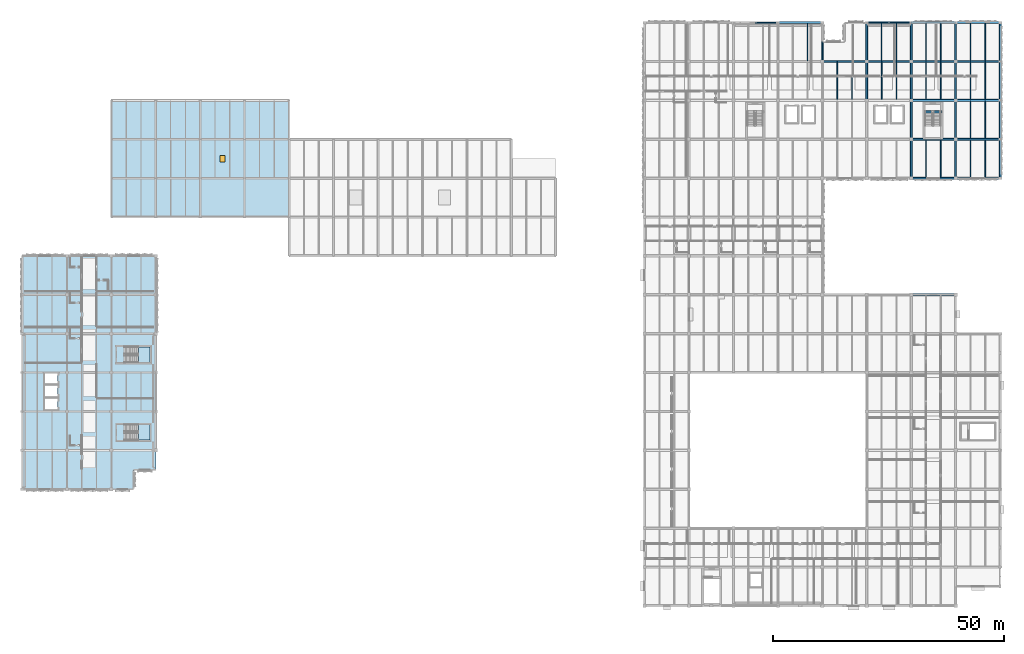
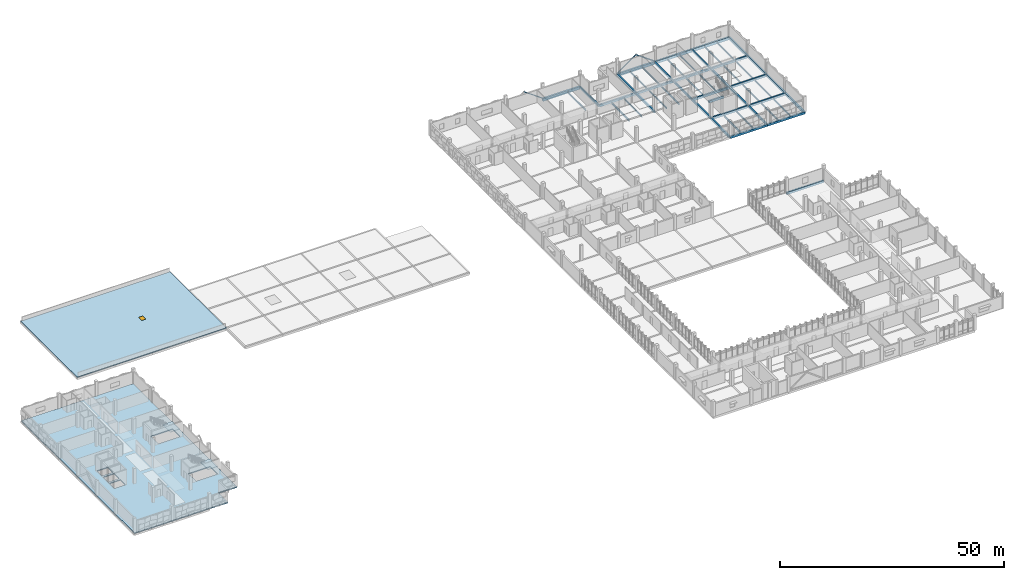
# One storey, part 24 of 57: 52 beams, 4 slabs, 3 members, 1 door, 1 opening, 3 elements without a shape of their own.
"""IFC4 building model written with IfcOpenShell, lengths in metres."""

from ifc_helpers import new_model, si_unit, direction, frame, origin, origin_2d, place, context, subcontext, project, spatial, polyline, rectangle, hollow_rectangle, i_section, outline, extrude, material, layer, layer_set, material_profile, profile_set, type_object, element, fill, aggregate, save


model = new_model("IFC4")

# Units and contexts
model_context = context("Model", 3, precision=1e-05, world=origin(), true_north=direction((0.0, 1.0)))
body_context = subcontext(model_context, "Body", "Model", "MODEL_VIEW")
ifc_project = project(units=[si_unit("LENGTHUNIT", "METRE"), si_unit("AREAUNIT", "SQUARE_METRE"), si_unit("VOLUMEUNIT", "CUBIC_METRE"), si_unit("PLANEANGLEUNIT", "RADIAN"), si_unit("MASSUNIT", "GRAM", prefix="KILO")], contexts=[model_context])

# Site, building, storey
site_placement = place(None, origin())
site = spatial("IfcSite", under=ifc_project, at=site_placement, CompositionType="ELEMENT")
building_placement = place(site_placement, origin())
building = spatial("IfcBuilding", under=site, at=building_placement, Name="Oolite Switchyard Hospital", CompositionType="ELEMENT")
storey_placement = place(building_placement, frame((0.0, 0.0, 17.800048828125)))
storey = spatial("IfcBuildingStorey", under=building, at=storey_placement, Name="L04", CompositionType="ELEMENT", Elevation=17.800048828125)

# Beams
ifc_material_1 = material(Name="Concrete C40/50", Category="concrete")
ifc_material_profile_1 = material_profile(ifc_material_1, rectangle(XDim=0.35009765625, YDim=0.550048828125, at=origin_2d()), Name="RCB350X550")
ifc_profile_set_1 = profile_set([ifc_material_profile_1], Name="Concrete C40/50")
beam_type_1 = type_object("IfcBeamType", Name="BM-RC350X550", PredefinedType="BEAM", material=ifc_profile_set_1)
for number, where, z_axis, x_axis, name in (
    (1, (172.800048828125, 126.0, -0.275146484375), (0.0, 1.0, 0.0), (-1.0, 0.0, 0.0), "L04 Y-Girder 3038"),
    (2, (182.39990234375, 117.60009765625, -0.275146484375), (0.0, 1.0, 0.0), (-1.0, 0.0, 0.0), "L04 Y-Girder 3049"),
    (3, (182.39990234375, 126.0, -0.275146484375), (0.0, 1.0, 0.0), (-1.0, 0.0, 0.0), "L04 Y-Girder 3050"),
    (4, (192.0, 100.800048828125, -0.275146484375), (0.0, 1.0, 0.0), (-1.0, 0.0, 0.0), "L04 Y-Girder 3059"),
):
    element("IfcBeam", number, at=place(storey_placement, frame(where, z_axis=z_axis, x_axis=x_axis)), inside=storey, type_object=beam_type_1, Name=name, PredefinedType="BEAM", context=body_context, shape_type="SweptSolid", body=[
        extrude(rectangle(XDim=0.35009765625, YDim=0.550048828125, at=origin_2d()), origin(), (0.0, 0.0, 1.0), 8.39990234375),
    ])
beam_1_placement = place(storey_placement, frame((192.0, 109.199951171875, -0.275146484375), z_axis=(0.0, 1.0, 0.0), x_axis=(-1.0, 0.0, 0.0)))
element("IfcBeam", 5, at=beam_1_placement, inside=storey, type_object=beam_type_1, Name="L04 Y-Girder 3060", PredefinedType="BEAM", context=body_context, shape_type="SweptSolid", body=[
    extrude(rectangle(XDim=0.35009765625, YDim=0.550048828125, at=origin_2d()), origin(), (0.0, 0.0, 1.0), 8.400146484375),
])
for number, where, z_axis, x_axis, name in (
    (6, (192.0, 117.60009765625, -0.275146484375), (0.0, 1.0, 0.0), (-1.0, 0.0, 0.0), "L04 Y-Girder 3061"),
    (7, (192.0, 126.0, -0.275146484375), (0.0, 1.0, 0.0), (-1.0, 0.0, 0.0), "L04 Y-Girder 3062"),
    (8, (201.60009765625, 100.800048828125, -0.275146484375), (0.0, 1.0, 0.0), (-1.0, 0.0, 0.0), "L04 Y-Girder 3071"),
):
    element("IfcBeam", number, at=place(storey_placement, frame(where, z_axis=z_axis, x_axis=x_axis)), inside=storey, type_object=beam_type_1, Name=name, PredefinedType="BEAM", context=body_context, shape_type="SweptSolid", body=[
        extrude(rectangle(XDim=0.35009765625, YDim=0.550048828125, at=origin_2d()), origin(), (0.0, 0.0, 1.0), 8.39990234375),
    ])
beam_2_placement = place(storey_placement, frame((201.60009765625, 109.199951171875, -0.275146484375), z_axis=(0.0, 1.0, 0.0), x_axis=(-1.0, 0.0, 0.0)))
element("IfcBeam", 9, at=beam_2_placement, inside=storey, type_object=beam_type_1, Name="L04 Y-Girder 3072", PredefinedType="BEAM", context=body_context, shape_type="SweptSolid", body=[
    extrude(rectangle(XDim=0.35009765625, YDim=0.550048828125, at=origin_2d()), origin(), (0.0, 0.0, 1.0), 8.400146484375),
])
for number, where, z_axis, x_axis, name in (
    (10, (201.60009765625, 117.60009765625, -0.275146484375), (0.0, 1.0, 0.0), (-1.0, 0.0, 0.0), "L04 Y-Girder 3073"),
    (11, (201.60009765625, 126.0, -0.275146484375), (0.0, 1.0, 0.0), (-1.0, 0.0, 0.0), "L04 Y-Girder 3074"),
):
    element("IfcBeam", number, at=place(storey_placement, frame(where, z_axis=z_axis, x_axis=x_axis)), inside=storey, type_object=beam_type_1, Name=name, PredefinedType="BEAM", context=body_context, shape_type="SweptSolid", body=[
        extrude(rectangle(XDim=0.35009765625, YDim=0.550048828125, at=origin_2d()), origin(), (0.0, 0.0, 1.0), 8.39990234375),
    ])
ifc_material_profile_2 = material_profile(ifc_material_1, rectangle(XDim=0.39990234375, YDim=0.60009765625, at=origin_2d()), Name="RCB400X600")
ifc_profile_set_2 = profile_set([ifc_material_profile_2], Name="Concrete C40/50")
beam_type_2 = type_object("IfcBeamType", Name="BM-RC400X600", PredefinedType="BEAM", material=ifc_profile_set_2)
for number, where, z_axis, x_axis, name in (
    (12, (192.0, 75.60009765625, -0.300048828125), (1.0, 0.0, 0.0), (0.0, 1.0, 0.0), "L04 X-Girder 2830"),
    (13, (192.0, 100.800048828125, -0.300048828125), (1.0, 0.0, 0.0), (0.0, 1.0, 0.0), "L04 X-Girder 2874"),
):
    element("IfcBeam", number, at=place(storey_placement, frame(where, z_axis=z_axis, x_axis=x_axis)), inside=storey, type_object=beam_type_2, Name=name, PredefinedType="BEAM", context=body_context, shape_type="SweptSolid", body=[
        extrude(rectangle(XDim=0.39990234375, YDim=0.60009765625, at=origin_2d()), origin(), (0.0, 0.0, 1.0), 9.60009765625),
    ])
beam_3_placement = place(storey_placement, frame((201.60009765625, 100.800048828125, -0.300048828125), z_axis=(1.0, 0.0, 0.0), x_axis=(0.0, 1.0, 0.0)))
element("IfcBeam", 14, at=beam_3_placement, inside=storey, type_object=beam_type_2, Name="L04 X-Girder 2875", PredefinedType="BEAM", context=body_context, shape_type="SweptSolid", body=[
    extrude(rectangle(XDim=0.39990234375, YDim=0.60009765625, at=origin_2d()), origin(), (0.0, 0.0, 1.0), 9.599853515625),
])
beam_4_placement = place(storey_placement, frame((192.0, 109.199951171875, -0.300048828125), z_axis=(1.0, 0.0, 0.0), x_axis=(0.0, 1.0, 0.0)))
element("IfcBeam", 15, at=beam_4_placement, inside=storey, type_object=beam_type_2, Name="L04 X-Girder 2891", PredefinedType="BEAM", context=body_context, shape_type="SweptSolid", body=[
    extrude(rectangle(XDim=0.39990234375, YDim=0.60009765625, at=origin_2d()), origin(), (0.0, 0.0, 1.0), 9.60009765625),
])
beam_5_placement = place(storey_placement, frame((201.60009765625, 109.199951171875, -0.300048828125), z_axis=(1.0, 0.0, 0.0), x_axis=(0.0, 1.0, 0.0)))
element("IfcBeam", 16, at=beam_5_placement, inside=storey, type_object=beam_type_2, Name="L04 X-Girder 2892", PredefinedType="BEAM", context=body_context, shape_type="SweptSolid", body=[
    extrude(rectangle(XDim=0.39990234375, YDim=0.60009765625, at=origin_2d()), origin(), (0.0, 0.0, 1.0), 9.599853515625),
])
beam_6_placement = place(storey_placement, frame((192.0, 117.60009765625, -0.300048828125), z_axis=(1.0, 0.0, 0.0), x_axis=(0.0, 1.0, 0.0)))
element("IfcBeam", 17, at=beam_6_placement, inside=storey, type_object=beam_type_2, Name="L04 X-Girder 2903", PredefinedType="BEAM", context=body_context, shape_type="SweptSolid", body=[
    extrude(rectangle(XDim=0.39990234375, YDim=0.60009765625, at=origin_2d()), origin(), (0.0, 0.0, 1.0), 9.60009765625),
])
for number, where, z_axis, x_axis, name in (
    (18, (201.60009765625, 117.60009765625, -0.300048828125), (1.0, 0.0, 0.0), (0.0, 1.0, 0.0), "L04 X-Girder 2904"),
    (19, (172.800048828125, 126.0, -0.300048828125), (1.0, 0.0, 0.0), (0.0, 1.0, 0.0), "L04 X-Girder 2909"),
):
    element("IfcBeam", number, at=place(storey_placement, frame(where, z_axis=z_axis, x_axis=x_axis)), inside=storey, type_object=beam_type_2, Name=name, PredefinedType="BEAM", context=body_context, shape_type="SweptSolid", body=[
        extrude(rectangle(XDim=0.39990234375, YDim=0.60009765625, at=origin_2d()), origin(), (0.0, 0.0, 1.0), 9.599853515625),
    ])
for number, where, z_axis, x_axis, name in (
    (20, (182.39990234375, 126.0, -0.300048828125), (1.0, 0.0, 0.0), (0.0, 1.0, 0.0), "L04 X-Girder 2910"),
    (21, (192.0, 126.0, -0.300048828125), (1.0, 0.0, 0.0), (0.0, 1.0, 0.0), "L04 X-Girder 2911"),
):
    element("IfcBeam", number, at=place(storey_placement, frame(where, z_axis=z_axis, x_axis=x_axis)), inside=storey, type_object=beam_type_2, Name=name, PredefinedType="BEAM", context=body_context, shape_type="SweptSolid", body=[
        extrude(rectangle(XDim=0.39990234375, YDim=0.60009765625, at=origin_2d()), origin(), (0.0, 0.0, 1.0), 9.60009765625),
    ])
beam_7_placement = place(storey_placement, frame((201.60009765625, 126.0, -0.300048828125), z_axis=(1.0, 0.0, 0.0), x_axis=(0.0, 1.0, 0.0)))
element("IfcBeam", 22, at=beam_7_placement, inside=storey, type_object=beam_type_2, Name="L04 X-Girder 2912", PredefinedType="BEAM", context=body_context, shape_type="SweptSolid", body=[
    extrude(rectangle(XDim=0.39990234375, YDim=0.60009765625, at=origin_2d()), origin(), (0.0, 0.0, 1.0), 9.599853515625),
])
beam_8_placement = place(storey_placement, frame((211.199951171875, 100.800048828125, -0.300048828125), z_axis=(0.0, 1.0, 0.0), x_axis=(-1.0, 0.0, 0.0)))
element("IfcBeam", 23, at=beam_8_placement, inside=storey, type_object=beam_type_2, Name="L04 Y-Girder 3081", PredefinedType="BEAM", context=body_context, shape_type="SweptSolid", body=[
    extrude(rectangle(XDim=0.39990234375, YDim=0.60009765625, at=origin_2d()), origin(), (0.0, 0.0, 1.0), 8.39990234375),
])
beam_9_placement = place(storey_placement, frame((211.199951171875, 109.199951171875, -0.300048828125), z_axis=(0.0, 1.0, 0.0), x_axis=(-1.0, 0.0, 0.0)))
element("IfcBeam", 24, at=beam_9_placement, inside=storey, type_object=beam_type_2, Name="L04 Y-Girder 3082", PredefinedType="BEAM", context=body_context, shape_type="SweptSolid", body=[
    extrude(rectangle(XDim=0.39990234375, YDim=0.60009765625, at=origin_2d()), origin(), (0.0, 0.0, 1.0), 8.400146484375),
])
for number, where, z_axis, x_axis, name in (
    (25, (211.199951171875, 117.60009765625, -0.300048828125), (0.0, 1.0, 0.0), (-1.0, 0.0, 0.0), "L04 Y-Girder 3083"),
    (26, (211.199951171875, 126.0, -0.300048828125), (0.0, 1.0, 0.0), (-1.0, 0.0, 0.0), "L04 Y-Girder 3084"),
):
    element("IfcBeam", number, at=place(storey_placement, frame(where, z_axis=z_axis, x_axis=x_axis)), inside=storey, type_object=beam_type_2, Name=name, PredefinedType="BEAM", context=body_context, shape_type="SweptSolid", body=[
        extrude(rectangle(XDim=0.39990234375, YDim=0.60009765625, at=origin_2d()), origin(), (0.0, 0.0, 1.0), 8.39990234375),
    ])
beam_10_placement = place(storey_placement, frame((194.77490234375, 115.110107421875, -0.300048828125), z_axis=(1.0, 0.0, 0.0), x_axis=(0.0, 1.0, 0.0)))
element("IfcBeam", 27, at=beam_10_placement, inside=storey, type_object=beam_type_2, Name="L04 ST-04 Stair Throat Trimmer Beam", PredefinedType="BEAM", context=body_context, shape_type="SweptSolid", body=[
    extrude(rectangle(XDim=0.39990234375, YDim=0.60009765625, at=origin_2d()), origin(), (0.0, 0.0, 1.0), 3.81005859375),
])
ifc_material_profile_3 = material_profile(ifc_material_1, rectangle(XDim=0.449951171875, YDim=0.75, at=origin_2d()), Name="RCB450X750")
ifc_profile_set_3 = profile_set([ifc_material_profile_3], Name="Concrete C40/50")
beam_type_3 = type_object("IfcBeamType", Name="BM-RC450X750", PredefinedType="BEAM", material=ifc_profile_set_3)
for number, where, z_axis, x_axis, name in (
    (28, (163.199951171875, 134.39990234375, -0.375), (1.0, 0.0, 0.0), (0.0, 1.0, 0.0), "L04 X-Girder 2916"),
    (29, (182.39990234375, 134.39990234375, -0.375), (1.0, 0.0, 0.0), (0.0, 1.0, 0.0), "L04 X-Girder 2917"),
    (30, (192.0, 134.39990234375, -0.375), (1.0, 0.0, 0.0), (0.0, 1.0, 0.0), "L04 X-Girder 2918"),
):
    element("IfcBeam", number, at=place(storey_placement, frame(where, z_axis=z_axis, x_axis=x_axis)), inside=storey, type_object=beam_type_3, Name=name, PredefinedType="BEAM", context=body_context, shape_type="SweptSolid", body=[
        extrude(rectangle(XDim=0.449951171875, YDim=0.75, at=origin_2d()), origin(), (0.0, 0.0, 1.0), 9.60009765625),
    ])
beam_11_placement = place(storey_placement, frame((201.60009765625, 134.39990234375, -0.375), z_axis=(1.0, 0.0, 0.0), x_axis=(0.0, 1.0, 0.0)))
element("IfcBeam", 31, at=beam_11_placement, inside=storey, type_object=beam_type_3, Name="L04 X-Girder 2919", PredefinedType="BEAM", context=body_context, shape_type="SweptSolid", body=[
    extrude(rectangle(XDim=0.449951171875, YDim=0.75, at=origin_2d()), origin(), (0.0, 0.0, 1.0), 9.599853515625),
])
ifc_material_2 = material(Name="Steel ASTM A992 Grade 50", Category="steel")
ifc_material_profile_4 = material_profile(ifc_material_2, i_section(OverallWidth=0.1708984375, OverallDepth=0.35107421875, WebThickness=0.007080078125, FlangeThickness=0.010009765625, at=origin_2d()), Name="W14X30")
ifc_profile_set_4 = profile_set([ifc_material_profile_4], Name="Steel ASTM A992 Grade 50")
beam_type_4 = type_object("IfcBeamType", Name="BM-W14X30", PredefinedType="JOIST", material=ifc_profile_set_4)
beam_12_placement = place(storey_placement, frame((208.0, 126.199951171875, -0.449951171875), z_axis=(0.0, 1.0, 0.0), x_axis=(-1.0, 0.0, 0.0)))
element("IfcBeam", 32, at=beam_12_placement, inside=storey, type_object=beam_type_4, Name="L04 Secondary Steel Joist 3330", PredefinedType="JOIST", context=body_context, shape_type="SweptSolid", body=[
    extrude(i_section(OverallWidth=0.1708984375, OverallDepth=0.35107421875, WebThickness=0.007080078125, FlangeThickness=0.010009765625, at=origin_2d()), origin(), (0.0, 0.0, 1.0), 7.97509765625),
])
ifc_material_profile_5 = material_profile(ifc_material_2, i_section(OverallWidth=0.177978515625, OverallDepth=0.403076171875, WebThickness=0.008056640625, FlangeThickness=0.010986328125, at=origin_2d()), Name="W16X36")
ifc_profile_set_5 = profile_set([ifc_material_profile_5], Name="Steel ASTM A992 Grade 50")
beam_type_5 = type_object("IfcBeamType", Name="BM-W16X36", PredefinedType="JOIST", material=ifc_profile_set_5)
beam_13_placement = place(storey_placement, frame((198.39990234375, 126.199951171875, -0.47607421875), z_axis=(0.0, 1.0, 0.0), x_axis=(-1.0, 0.0, 0.0)))
element("IfcBeam", 33, at=beam_13_placement, inside=storey, type_object=beam_type_5, Name="L04 Secondary Steel Joist 3312", PredefinedType="JOIST", context=body_context, shape_type="SweptSolid", body=[
    extrude(i_section(OverallWidth=0.177978515625, OverallDepth=0.403076171875, WebThickness=0.008056640625, FlangeThickness=0.010986328125, at=origin_2d()), origin(), (0.0, 0.0, 1.0), 7.97509765625),
])
beam_14_placement = place(storey_placement, frame((208.0, 117.800048828125, -0.47607421875), z_axis=(0.0, 1.0, 0.0), x_axis=(-1.0, 0.0, 0.0)))
element("IfcBeam", 34, at=beam_14_placement, inside=storey, type_object=beam_type_5, Name="L04 Secondary Steel Joist 3328", PredefinedType="JOIST", context=body_context, shape_type="SweptSolid", body=[
    extrude(i_section(OverallWidth=0.177978515625, OverallDepth=0.403076171875, WebThickness=0.008056640625, FlangeThickness=0.010986328125, at=origin_2d()), origin(), (0.0, 0.0, 1.0), 8.0),
])
beam_15_placement = place(storey_placement, frame((204.800048828125, 126.199951171875, -0.47607421875), z_axis=(0.0, 1.0, 0.0), x_axis=(-1.0, 0.0, 0.0)))
element("IfcBeam", 35, at=beam_15_placement, inside=storey, type_object=beam_type_5, Name="L04 Secondary Steel Joist 3329", PredefinedType="JOIST", context=body_context, shape_type="SweptSolid", body=[
    extrude(i_section(OverallWidth=0.177978515625, OverallDepth=0.403076171875, WebThickness=0.008056640625, FlangeThickness=0.010986328125, at=origin_2d()), origin(), (0.0, 0.0, 1.0), 7.97509765625),
])
ifc_material_profile_6 = material_profile(ifc_material_2, i_section(OverallWidth=0.179931640625, OverallDepth=0.4130859375, WebThickness=0.010009765625, FlangeThickness=0.01611328125, at=origin_2d()), Name="W16X50")
ifc_profile_set_6 = profile_set([ifc_material_profile_6], Name="Steel ASTM A992 Grade 50")
beam_type_6 = type_object("IfcBeamType", Name="BM-W16X50", PredefinedType="JOIST", material=ifc_profile_set_6)
beam_16_placement = place(storey_placement, frame((188.800048828125, 126.199951171875, -0.48095703125), z_axis=(0.0, 1.0, 0.0), x_axis=(-1.0, 0.0, 0.0)))
element("IfcBeam", 36, at=beam_16_placement, inside=storey, type_object=beam_type_6, Name="L04 Secondary Steel Joist 3290", PredefinedType="JOIST", context=body_context, shape_type="SweptSolid", body=[
    extrude(i_section(OverallWidth=0.179931640625, OverallDepth=0.4130859375, WebThickness=0.010009765625, FlangeThickness=0.01611328125, at=origin_2d()), origin(), (0.0, 0.0, 1.0), 7.97509765625),
])
beam_17_placement = place(storey_placement, frame((198.39990234375, 117.800048828125, -0.48095703125), z_axis=(0.0, 1.0, 0.0), x_axis=(-1.0, 0.0, 0.0)))
element("IfcBeam", 37, at=beam_17_placement, inside=storey, type_object=beam_type_6, Name="L04 Secondary Steel Joist 3310", PredefinedType="JOIST", context=body_context, shape_type="SweptSolid", body=[
    extrude(i_section(OverallWidth=0.179931640625, OverallDepth=0.4130859375, WebThickness=0.010009765625, FlangeThickness=0.01611328125, at=origin_2d()), origin(), (0.0, 0.0, 1.0), 8.0),
])
beam_18_placement = place(storey_placement, frame((195.199951171875, 126.199951171875, -0.48095703125), z_axis=(0.0, 1.0, 0.0), x_axis=(-1.0, 0.0, 0.0)))
element("IfcBeam", 38, at=beam_18_placement, inside=storey, type_object=beam_type_6, Name="L04 Secondary Steel Joist 3311", PredefinedType="JOIST", context=body_context, shape_type="SweptSolid", body=[
    extrude(i_section(OverallWidth=0.179931640625, OverallDepth=0.4130859375, WebThickness=0.010009765625, FlangeThickness=0.01611328125, at=origin_2d()), origin(), (0.0, 0.0, 1.0), 7.97509765625),
])
for number, where, z_axis, x_axis, name in (
    (39, (208.0, 109.39990234375, -0.48095703125), (0.0, 1.0, 0.0), (-1.0, 0.0, 0.0), "L04 Secondary Steel Joist 3326"),
    (40, (204.800048828125, 117.800048828125, -0.48095703125), (0.0, 1.0, 0.0), (-1.0, 0.0, 0.0), "L04 Secondary Steel Joist 3327"),
):
    element("IfcBeam", number, at=place(storey_placement, frame(where, z_axis=z_axis, x_axis=x_axis)), inside=storey, type_object=beam_type_6, Name=name, PredefinedType="JOIST", context=body_context, shape_type="SweptSolid", body=[
        extrude(i_section(OverallWidth=0.179931640625, OverallDepth=0.4130859375, WebThickness=0.010009765625, FlangeThickness=0.01611328125, at=origin_2d()), origin(), (0.0, 0.0, 1.0), 8.0),
    ])
ifc_material_profile_7 = material_profile(ifc_material_2, i_section(OverallWidth=0.153076171875, OverallDepth=0.455078125, WebThickness=0.008056640625, FlangeThickness=0.012939453125, at=origin_2d()), Name="W18X40")
ifc_profile_set_7 = profile_set([ifc_material_profile_7], Name="Steel ASTM A992 Grade 50")
beam_type_7 = type_object("IfcBeamType", Name="BM-W18X40", PredefinedType="JOIST", material=ifc_profile_set_7)
beam_19_placement = place(storey_placement, frame((188.800048828125, 117.800048828125, -0.501953125), z_axis=(0.0, 1.0, 0.0), x_axis=(-1.0, 0.0, 0.0)))
element("IfcBeam", 41, at=beam_19_placement, inside=storey, type_object=beam_type_7, Name="L04 Secondary Steel Joist 3288", PredefinedType="JOIST", context=body_context, shape_type="SweptSolid", body=[
    extrude(i_section(OverallWidth=0.153076171875, OverallDepth=0.455078125, WebThickness=0.008056640625, FlangeThickness=0.012939453125, at=origin_2d()), origin(), (0.0, 0.0, 1.0), 8.0),
])
beam_20_placement = place(storey_placement, frame((185.60009765625, 126.199951171875, -0.501953125), z_axis=(0.0, 1.0, 0.0), x_axis=(-1.0, 0.0, 0.0)))
element("IfcBeam", 42, at=beam_20_placement, inside=storey, type_object=beam_type_7, Name="L04 Secondary Steel Joist 3289", PredefinedType="JOIST", context=body_context, shape_type="SweptSolid", body=[
    extrude(i_section(OverallWidth=0.153076171875, OverallDepth=0.455078125, WebThickness=0.008056640625, FlangeThickness=0.012939453125, at=origin_2d()), origin(), (0.0, 0.0, 1.0), 7.97509765625),
])
for number, where, z_axis, x_axis, name in (
    (43, (195.199951171875, 117.800048828125, -0.501953125), (0.0, 1.0, 0.0), (-1.0, 0.0, 0.0), "L04 Secondary Steel Joist 3309"),
    (44, (208.0, 101.0, -0.501953125), (0.0, 1.0, 0.0), (-1.0, 0.0, 0.0), "L04 Secondary Steel Joist 3324"),
    (45, (204.800048828125, 109.39990234375, -0.501953125), (0.0, 1.0, 0.0), (-1.0, 0.0, 0.0), "L04 Secondary Steel Joist 3325"),
):
    element("IfcBeam", number, at=place(storey_placement, frame(where, z_axis=z_axis, x_axis=x_axis)), inside=storey, type_object=beam_type_7, Name=name, PredefinedType="JOIST", context=body_context, shape_type="SweptSolid", body=[
        extrude(i_section(OverallWidth=0.153076171875, OverallDepth=0.455078125, WebThickness=0.008056640625, FlangeThickness=0.012939453125, at=origin_2d()), origin(), (0.0, 0.0, 1.0), 8.0),
    ])
ifc_material_profile_8 = material_profile(ifc_material_2, i_section(OverallWidth=0.19091796875, OverallDepth=0.4599609375, WebThickness=0.010009765625, FlangeThickness=0.01611328125, at=origin_2d()), Name="W18X55")
ifc_profile_set_8 = profile_set([ifc_material_profile_8], Name="Steel ASTM A992 Grade 50")
beam_type_8 = type_object("IfcBeamType", Name="BM-W18X55", PredefinedType="JOIST", material=ifc_profile_set_8)
beam_21_placement = place(storey_placement, frame((169.60009765625, 126.199951171875, -0.505126953125), z_axis=(0.0, 1.0, 0.0), x_axis=(-1.0, 0.0, 0.0)))
element("IfcBeam", 46, at=beam_21_placement, inside=storey, type_object=beam_type_8, Name="L04 Secondary Steel Joist 3254", PredefinedType="JOIST", context=body_context, shape_type="SweptSolid", body=[
    extrude(i_section(OverallWidth=0.19091796875, OverallDepth=0.4599609375, WebThickness=0.010009765625, FlangeThickness=0.01611328125, at=origin_2d()), origin(), (0.0, 0.0, 1.0), 7.97509765625),
])
for number, where, z_axis, x_axis, name in (
    (47, (179.199951171875, 117.800048828125, -0.505126953125), (0.0, 1.0, 0.0), (-1.0, 0.0, 0.0), "L04 Secondary Steel Joist 3268"),
    (48, (185.60009765625, 117.800048828125, -0.505126953125), (0.0, 1.0, 0.0), (-1.0, 0.0, 0.0), "L04 Secondary Steel Joist 3287"),
    (49, (198.39990234375, 101.0, -0.505126953125), (0.0, 1.0, 0.0), (-1.0, 0.0, 0.0), "L04 Secondary Steel Joist 3308"),
    (50, (204.800048828125, 101.0, -0.505126953125), (0.0, 1.0, 0.0), (-1.0, 0.0, 0.0), "L04 Secondary Steel Joist 3323"),
):
    element("IfcBeam", number, at=place(storey_placement, frame(where, z_axis=z_axis, x_axis=x_axis)), inside=storey, type_object=beam_type_8, Name=name, PredefinedType="JOIST", context=body_context, shape_type="SweptSolid", body=[
        extrude(i_section(OverallWidth=0.19091796875, OverallDepth=0.4599609375, WebThickness=0.010009765625, FlangeThickness=0.01611328125, at=origin_2d()), origin(), (0.0, 0.0, 1.0), 8.0),
    ])
ifc_material_profile_9 = material_profile(ifc_material_2, i_section(OverallWidth=0.166015625, OverallDepth=0.529052734375, WebThickness=0.010009765625, FlangeThickness=0.013916015625, at=origin_2d()), Name="W21X50")
ifc_profile_set_9 = profile_set([ifc_material_profile_9], Name="Steel ASTM A992 Grade 50")
beam_type_9 = type_object("IfcBeamType", Name="BM-W21X50", PredefinedType="JOIST", material=ifc_profile_set_9)
for number, where, z_axis, x_axis, name in (
    (51, (176.0, 117.800048828125, -0.5400390625), (0.0, 1.0, 0.0), (-1.0, 0.0, 0.0), "L04 Secondary Steel Joist 3267"),
    (52, (195.199951171875, 101.0, -0.5400390625), (0.0, 1.0, 0.0), (-1.0, 0.0, 0.0), "L04 Secondary Steel Joist 3307"),
):
    element("IfcBeam", number, at=place(storey_placement, frame(where, z_axis=z_axis, x_axis=x_axis)), inside=storey, type_object=beam_type_9, Name=name, PredefinedType="JOIST", context=body_context, shape_type="SweptSolid", body=[
        extrude(i_section(OverallWidth=0.166015625, OverallDepth=0.529052734375, WebThickness=0.010009765625, FlangeThickness=0.013916015625, at=origin_2d()), origin(), (0.0, 0.0, 1.0), 8.0),
    ])

# Members
ifc_material_3 = material(Name="Steel ASTM A500 Grade C", Category="steel")
ifc_material_profile_10 = material_profile(ifc_material_3, hollow_rectangle(XDim=0.152099609375, YDim=0.152099609375, WallThickness=0.010009765625, at=origin_2d()), Name="HSS152X152X10")
ifc_profile_set_10 = profile_set([ifc_material_profile_10], Name="Steel ASTM A500 Grade C")
member_type_1 = type_object("IfcMemberType", Name="MEM-BR-HSS152", PredefinedType="BRACE", material=ifc_profile_set_10)
for number, where, z_axis, x_axis, name in (
    (53, (182.39990234375, 134.39990234375, 0.02001953125), (0.813627204479, 0.0, 0.581386938392), (0.0, 1.0, 0.0), "L04 Chevron Brace 53"),
    (54, (192.0, 134.39990234375, 0.02001953125), (-0.813627204479, 0.0, 0.581386938392), (0.0, -1.0, 0.0), "L04 Chevron Brace 54"),
):
    element("IfcMember", number, at=place(storey_placement, frame(where, z_axis=z_axis, x_axis=x_axis)), inside=storey, type_object=member_type_1, Name=name, PredefinedType="BRACE", context=body_context, shape_type="SweptSolid", body=[
        extrude(hollow_rectangle(XDim=0.152099609375, YDim=0.152099609375, WallThickness=0.010009765625, at=origin_2d()), origin(), (0.0, 0.0, 1.0), 5.899658203125),
    ])
ifc_material_profile_11 = material_profile(ifc_material_3, hollow_rectangle(XDim=0.202880859375, YDim=0.202880859375, WallThickness=0.012939453125, at=origin_2d()), Name="HSS203X203X13")
ifc_profile_set_11 = profile_set([ifc_material_profile_11], Name="Steel ASTM A500 Grade C")
member_type_2 = type_object("IfcMemberType", Name="MEM-BR-HSS203", PredefinedType="BRACE", material=ifc_profile_set_11)
member_placement = place(storey_placement, frame((163.199951171875, 134.39990234375, 0.02001953125), z_axis=(-0.813627204479, 0.0, 0.581386938392), x_axis=(0.0, -1.0, 0.0)))
element("IfcMember", 55, at=member_placement, inside=storey, type_object=member_type_2, Name="L04 Chevron Brace 38", PredefinedType="BRACE", context=body_context, shape_type="SweptSolid", body=[
    extrude(hollow_rectangle(XDim=0.202880859375, YDim=0.202880859375, WallThickness=0.012939453125, at=origin_2d()), origin(), (0.0, 0.0, 1.0), 5.899658203125),
])

# Slab
ifc_layer_1 = layer(ifc_material_1, 0.27490234375)
ifc_layer_set_1 = layer_set([ifc_layer_1], Name="SLB-FLR-275")
slab_type_1 = type_object("IfcSlabType", Name="SLB-FLR-275", PredefinedType="FLOOR", material=ifc_layer_set_1)
slab_1_placement = place(storey_placement, frame((0.0, 0.0, -0.275146484375)))
element("IfcSlab", 56, at=slab_1_placement, inside=storey, type_object=slab_type_1, Name="L04 V5W Slab V5W", PredefinedType="FLOOR", context=body_context, shape_type="SweptSolid", body=[
    extrude(outline(polyline([(0.0, 33.60009765625), (24.0, 33.60009765625), (24.0, 37.800048828125), (28.800048828125, 37.800048828125), (28.800048828125, 84.0), (0.0, 84.0), (0.0, 33.60009765625)]), holes=[polyline([(21.9599609375, 44.199951171875), (27.550048828125, 44.199951171875), (27.550048828125, 47.56005859375), (21.9599609375, 47.56005859375), (21.9599609375, 44.199951171875)]), polyline([(21.9599609375, 61.0), (27.550048828125, 61.0), (27.550048828125, 64.360107421875), (21.9599609375, 64.360107421875), (21.9599609375, 61.0)]), polyline([(4.800048828125, 50.89990234375), (7.60009765625, 50.89990234375), (7.60009765625, 53.10009765625), (4.800048828125, 53.10009765625), (4.800048828125, 50.89990234375)]), polyline([(4.800048828125, 53.699951171875), (7.60009765625, 53.699951171875), (7.60009765625, 55.89990234375), (4.800048828125, 55.89990234375), (4.800048828125, 53.699951171875)]), polyline([(4.800048828125, 56.5), (7.60009765625, 56.5), (7.60009765625, 58.699951171875), (4.800048828125, 58.699951171875), (4.800048828125, 56.5)])]), origin(), (0.0, 0.0, 1.0), 0.275146484375),
])

# Stair, slab
stair_type = type_object("IfcStairType", Name="STR-DL-156-R24", PredefinedType="HALF_TURN_STAIR", material=ifc_material_1)
stair_1_placement = place(storey_placement, origin())
stair_1 = element("IfcStair", 57, at=stair_1_placement, inside=storey, type_object=stair_type, Name="L04 Exit Stair ST-01", PredefinedType="HALF_TURN_STAIR")
ifc_layer_2 = layer(ifc_material_1, 0.199951171875)
ifc_layer_set_2 = layer_set([ifc_layer_2], Name="SLB-LND-200")
slab_type_2 = type_object("IfcSlabType", Name="SLB-LND-200", PredefinedType="LANDING", material=ifc_layer_set_2)
slab_2_placement = place(storey_placement, frame((0.0, 0.0, 1.89990234375)))
slab_2 = element("IfcSlab", 58, at=slab_2_placement, type_object=slab_type_2, Name="ST-01 landing 1", PredefinedType="LANDING", context=body_context, shape_type="SweptSolid", body=[
    extrude(outline(polyline([(25.0400390625, 44.199951171875), (27.550048828125, 44.199951171875), (27.550048828125, 47.56005859375), (25.0400390625, 47.56005859375), (25.0400390625, 44.199951171875)])), origin(), (0.0, 0.0, 1.0), 0.199951171875),
])
aggregate(stair_1, [slab_2])

stair_2_placement = place(storey_placement, origin())
stair_2 = element("IfcStair", 59, at=stair_2_placement, inside=storey, type_object=stair_type, Name="L04 Exit Stair ST-02", PredefinedType="HALF_TURN_STAIR")
slab_3_placement = place(storey_placement, frame((0.0, 0.0, 1.89990234375)))
slab_3 = element("IfcSlab", 60, at=slab_3_placement, type_object=slab_type_2, Name="ST-02 landing 1", PredefinedType="LANDING", context=body_context, shape_type="SweptSolid", body=[
    extrude(outline(polyline([(25.0400390625, 61.0), (27.550048828125, 61.0), (27.550048828125, 64.360107421875), (25.0400390625, 64.360107421875), (25.0400390625, 61.0)])), origin(), (0.0, 0.0, 1.0), 0.199951171875),
])
aggregate(stair_2, [slab_3])

# Roof, slab, opening, door
roof_type = type_object("IfcRoofType", Name="ROOF-FLAT", PredefinedType="FLAT_ROOF", material=ifc_material_1)
roof_placement = place(storey_placement, origin())
roof = element("IfcRoof", 61, at=roof_placement, inside=storey, type_object=roof_type, Name="L04 Flat Cool Roof Assembly", PredefinedType="FLAT_ROOF")
ifc_layer_3 = layer(ifc_material_1, 0.219970703125)
ifc_layer_set_3 = layer_set([ifc_layer_3], Name="SLB-ROOF-220")
slab_type_3 = type_object("IfcSlabType", Name="SLB-ROOF-220", PredefinedType="ROOF", material=ifc_layer_set_3)
slab_4_placement = place(storey_placement, frame((0.0, 0.0, -0.219970703125)))
slab_4 = element("IfcSlab", 62, at=slab_4_placement, type_object=slab_type_3, Name="L04 V3 Slab V3PR", PredefinedType="ROOF", context=body_context, shape_type="SweptSolid", body=[
    extrude(outline(polyline([(19.199951171875, 92.39990234375), (57.60009765625, 92.39990234375), (57.60009765625, 117.60009765625), (19.199951171875, 117.60009765625), (19.199951171875, 92.39990234375)])), origin(), (0.0, 0.0, 1.0), 0.219970703125),
])
opening_placement = place(slab_4_placement, frame((43.199951171875, 105.0, 0.0)))
opening = element("IfcOpeningElement", 63, at=opening_placement, cuts=slab_4, Name="Opening HTD-03", PredefinedType="OPENING", context=body_context, shape_type="SweptSolid", body=[
    extrude(rectangle(XDim=1.10009765625, YDim=1.39990234375, at=origin_2d()), frame((0.0, 0.0, -0.010009765625), z_axis=(0.0, 0.0, 1.0), x_axis=(1.0, 0.0, 0.0)), (0.0, 0.0, 1.0), 0.239990234375),
])
ifc_material_4 = material(Name="Insulated marine-grade aluminum roof access hatch", Category="aluminium")
door_type = type_object("IfcDoorType", Name="HT-RF-110X140", OperationType="NOTDEFINED", PredefinedType="TRAPDOOR", material=ifc_material_4)
door_placement = place(opening_placement, frame((0.0, 0.0, 0.169921875)))
door = element("IfcDoor", 64, at=door_placement, inside=storey, type_object=door_type, Name="L04 Maintenance Roof Access Hatch HTD-03", OperationType="SINGLE_SWING_LEFT", OverallHeight=1.39990234375, OverallWidth=1.10009765625, PredefinedType="TRAPDOOR", context=body_context, shape_type="SweptSolid", body=[
    extrude(rectangle(XDim=1.10009765625, YDim=1.39990234375, at=origin_2d()), origin(), (0.0, 0.0, 1.0), 0.050048828125),
])
fill(opening, door)
aggregate(roof, [slab_4])

save(model, "model.ifc")
